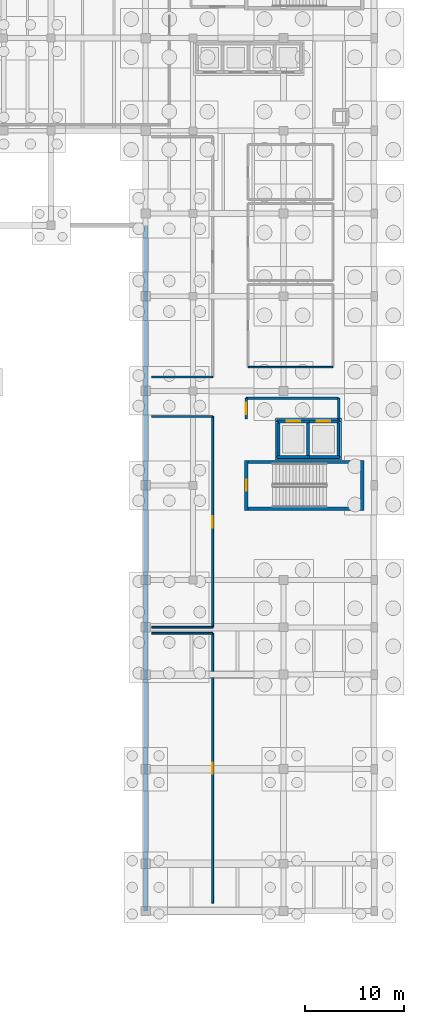
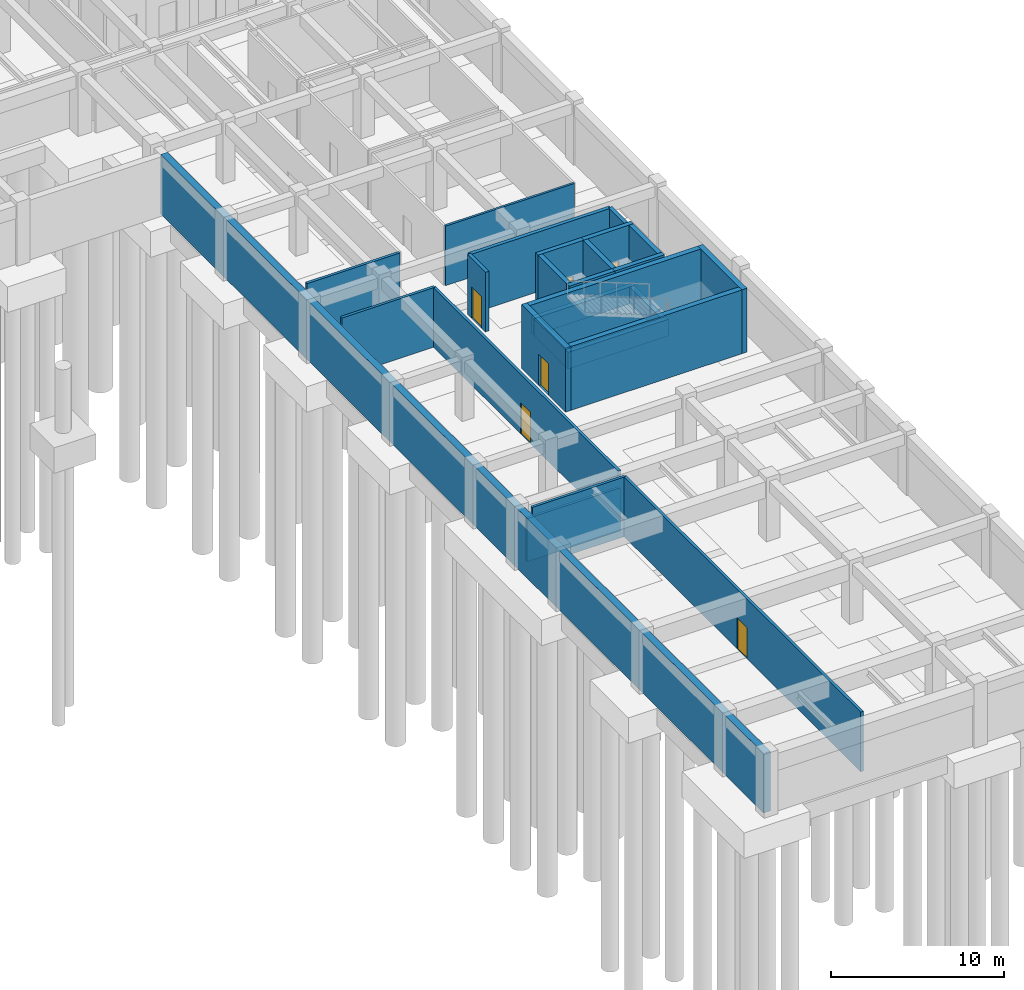
# One storey, part 19 of 33: 26 walls, 6 doors, 6 openings.
"""IFC4 building model written with IfcOpenShell, lengths in metres."""

from ifc_helpers import new_model, si_unit, direction, frame, frame_2d, origin, place, context, subcontext, project, spatial, rectangle, extrude, material, layer, layer_set, type_object, element, fill, save


model = new_model("IFC4")

# Units and contexts
model_context = context("Model", 3, precision=1e-05, world=origin(), true_north=direction((0.0, 1.0)))
body_context = subcontext(model_context, "Body", "Model", "MODEL_VIEW")
ifc_project = project(units=[si_unit("LENGTHUNIT", "METRE"), si_unit("AREAUNIT", "SQUARE_METRE"), si_unit("VOLUMEUNIT", "CUBIC_METRE"), si_unit("PLANEANGLEUNIT", "RADIAN"), si_unit("MASSUNIT", "GRAM", prefix="KILO")], contexts=[model_context])

# Site, building, storey
site_placement = place(None, origin())
site = spatial("IfcSite", under=ifc_project, at=site_placement, CompositionType="ELEMENT")
building_placement = place(site_placement, origin())
building = spatial("IfcBuilding", under=site, at=building_placement, Name="Veldera Park Congress Hotel", CompositionType="ELEMENT")
storey_placement = place(building_placement, frame((0.0, 0.0, -4.5)))
storey = spatial("IfcBuildingStorey", under=building, at=storey_placement, Name="B1", CompositionType="ELEMENT", Elevation=-4.5)

# Wall, opening, door
ifc_material_1 = material(Name="Fire-Rated Gypsum Board on Cold-Formed Steel Studs", Category="steel")
ifc_layer_1 = layer(ifc_material_1, 0.179931640625)
ifc_layer_set_1 = layer_set([ifc_layer_1], Name="Fire-Rated Gypsum Board on Cold-Formed Steel Studs")
wall_type_1 = type_object("IfcWallType", Name="IW-CORR180", PredefinedType="PARTITIONING", material=ifc_layer_set_1)
wall_1_placement = place(storey_placement, frame((67.60009765625, -51.39990234375, 0.0), z_axis=(0.0, 0.0, 1.0), x_axis=(0.0, 1.0, 0.0)))
wall_1 = element("IfcWall", 1, at=wall_1_placement, inside=storey, type_object=wall_type_1, Name="B1 Partition Wall IW3-B1-00022", PredefinedType="PARTITIONING", context=body_context, shape_type="SweptSolid", body=[
    extrude(rectangle(XDim=27.39990234375, YDim=0.179931640625, at=frame_2d((13.699951171875, 0.0))), origin(), (0.0, 0.0, 1.0), 4.199951171875),
])
opening_1_placement = place(wall_1_placement, frame((13.125, 0.0, 0.0)))
opening_1 = element("IfcOpeningElement", 2, at=opening_1_placement, cuts=wall_1, Name="Opening ID-MEET115", PredefinedType="OPENING", context=body_context, shape_type="SweptSolid", body=[
    extrude(rectangle(XDim=1.14990234375, YDim=2.199951171875, at=frame_2d((0.574951171875, 1.10009765625))), frame((0.0, 0.10205078125, 0.0), z_axis=(0.0, -1.0, 0.0), x_axis=(1.0, 0.0, 0.0)), (0.0, 0.0, 1.0), 0.203857421875),
])
ifc_material_2 = material(Name="Solid Core White Oak Architectural Door", Category="wood")
door_type_1 = type_object("IfcDoorType", Name="ID-MEET115", OperationType="NOTDEFINED", PredefinedType="DOOR", material=ifc_material_2)
door_1_placement = place(opening_1_placement, origin())
door_1 = element("IfcDoor", 3, at=door_1_placement, inside=storey, type_object=door_type_1, Name="B1 Bulk Banquet Storage and Cold Commissary Door ID3-B1-0009 (DR3-ID3-B1-0009)", OperationType="SINGLE_SWING_RIGHT", OverallHeight=2.199951171875, OverallWidth=1.14990234375, PredefinedType="DOOR", context=body_context, shape_type="SweptSolid", body=[
    extrude(rectangle(XDim=1.14990234375, YDim=2.199951171875, at=frame_2d((0.574951171875, 1.10009765625))), frame((0.0, 0.02490234375, 0.0), z_axis=(0.0, -1.0, 0.0), x_axis=(1.0, 0.0, 0.0)), (0.0, 0.0, 1.0), 0.050048828125),
])
fill(opening_1, door_1)

# Walls
wall_2_placement = place(storey_placement, frame((67.60009765625, -24.0, 0.0), z_axis=(0.0, 0.0, 1.0), x_axis=(-1.0, 0.0, 0.0)))
element("IfcWall", 4, at=wall_2_placement, inside=storey, type_object=wall_type_1, Name="B1 Partition Wall IW3-B1-00023", PredefinedType="PARTITIONING", context=body_context, shape_type="SweptSolid", body=[
    extrude(rectangle(XDim=6.2001953125, YDim=0.179931640625, at=frame_2d((3.10009765625, 0.0))), origin(), (0.0, 0.0, 1.0), 4.199951171875),
])
wall_3_placement = place(storey_placement, frame((61.39990234375, -23.39990234375, 0.0), z_axis=(0.0, 0.0, 1.0), x_axis=(1.0, 0.0, 0.0)))
element("IfcWall", 5, at=wall_3_placement, inside=storey, type_object=wall_type_1, Name="B1 Partition Wall IW3-B1-00024", PredefinedType="PARTITIONING", context=body_context, shape_type="SweptSolid", body=[
    extrude(rectangle(XDim=6.2001953125, YDim=0.179931640625, at=frame_2d((3.10009765625, 0.0))), origin(), (0.0, 0.0, 1.0), 3.044921875),
])

# Wall, opening, door
wall_4_placement = place(storey_placement, frame((67.60009765625, -23.39990234375, 0.0), z_axis=(0.0, 0.0, 1.0), x_axis=(0.0, 1.0, 0.0)))
wall_4 = element("IfcWall", 6, at=wall_4_placement, inside=storey, type_object=wall_type_1, Name="B1 Partition Wall IW3-B1-00025", PredefinedType="PARTITIONING", context=body_context, shape_type="SweptSolid", body=[
    extrude(rectangle(XDim=21.39990234375, YDim=0.179931640625, at=frame_2d((10.699951171875, 0.0))), origin(), (0.0, 0.0, 1.0), 4.199951171875),
])
opening_2_placement = place(wall_4_placement, frame((10.125, 0.0, 0.0)))
opening_2 = element("IfcOpeningElement", 7, at=opening_2_placement, cuts=wall_4, Name="Opening ID-MEET115", PredefinedType="OPENING", context=body_context, shape_type="SweptSolid", body=[
    extrude(rectangle(XDim=1.14990234375, YDim=2.199951171875, at=frame_2d((0.574951171875, 1.10009765625))), frame((0.0, 0.10205078125, 0.0), z_axis=(0.0, -1.0, 0.0), x_axis=(1.0, 0.0, 0.0)), (0.0, 0.0, 1.0), 0.203857421875),
])
door_2_placement = place(opening_2_placement, origin())
door_2 = element("IfcDoor", 8, at=door_2_placement, inside=storey, type_object=door_type_1, Name="B1 Staff Locker Rooms and Changing Facilities Door ID3-B1-0010 (DR3-ID3-B1-0010)", OperationType="SINGLE_SWING_LEFT", OverallHeight=2.199951171875, OverallWidth=1.14990234375, PredefinedType="DOOR", context=body_context, shape_type="SweptSolid", body=[
    extrude(rectangle(XDim=1.14990234375, YDim=2.199951171875, at=frame_2d((0.574951171875, 1.10009765625))), frame((0.0, 0.02490234375, 0.0), z_axis=(0.0, -1.0, 0.0), x_axis=(1.0, 0.0, 0.0)), (0.0, 0.0, 1.0), 0.050048828125),
])
fill(opening_2, door_2)

# Walls
for number, where, z_axis, x_axis, name in (
    (9, (67.60009765625, -2.0, 0.0), (0.0, 0.0, 1.0), (-1.0, 0.0, 0.0), "B1 Partition Wall IW3-B1-00026"),
    (10, (61.39990234375, 2.0, 0.0), (0.0, 0.0, 1.0), (1.0, 0.0, 0.0), "B1 Partition Wall IW3-B1-00027"),
):
    element("IfcWall", number, at=place(storey_placement, frame(where, z_axis=z_axis, x_axis=x_axis)), inside=storey, type_object=wall_type_1, Name=name, PredefinedType="PARTITIONING", context=body_context, shape_type="SweptSolid", body=[
        extrude(rectangle(XDim=6.2001953125, YDim=0.179931640625, at=frame_2d((3.10009765625, 0.0))), origin(), (0.0, 0.0, 1.0), 4.199951171875),
    ])
ifc_material_3 = material(Name="Concrete f'c 40 MPa (5,800 psi)", Category="concrete")
ifc_layer_2 = layer(ifc_material_3, 0.239990234375)
ifc_layer_set_2 = layer_set([ifc_layer_2], Name="Concrete f'c 40 MPa (5,800 psi)")
wall_type_2 = type_object("IfcWallType", Name="IW-FIRE240", PredefinedType="STANDARD", material=ifc_layer_set_2)
wall_5_placement = place(storey_placement, frame((80.39990234375, -2.25, 0.0), z_axis=(0.0, 0.0, 1.0), x_axis=(0.0, 1.0, 0.0)))
element("IfcWall", 11, at=wall_5_placement, inside=storey, type_object=wall_type_2, Name="B1 Partition Wall IW3-B1-00003", PredefinedType="STANDARD", context=body_context, shape_type="SweptSolid", body=[
    extrude(rectangle(XDim=2.10009765625, YDim=0.239990234375, at=frame_2d((1.050048828125, 0.0))), origin(), (0.0, 0.0, 1.0), 4.199951171875),
])
wall_6_placement = place(storey_placement, frame((80.39990234375, -0.14990234375, 0.0), z_axis=(0.0, 0.0, 1.0), x_axis=(-1.0, 0.0, 0.0)))
element("IfcWall", 12, at=wall_6_placement, inside=storey, type_object=wall_type_2, Name="B1 Partition Wall IW3-B1-00004", PredefinedType="STANDARD", context=body_context, shape_type="SweptSolid", body=[
    extrude(rectangle(XDim=9.39990234375, YDim=0.239990234375, at=frame_2d((4.699951171875, 0.0))), origin(), (0.0, 0.0, 1.0), 4.199951171875),
])

# Wall, opening, door
wall_7_placement = place(storey_placement, frame((71.0, -0.14990234375, 0.0), z_axis=(0.0, 0.0, 1.0), x_axis=(0.0, -1.0, 0.0)))
wall_7 = element("IfcWall", 13, at=wall_7_placement, inside=storey, type_object=wall_type_2, Name="B1 Partition Wall IW3-B1-00005", PredefinedType="STANDARD", context=body_context, shape_type="SweptSolid", body=[
    extrude(rectangle(XDim=2.10009765625, YDim=0.239990234375, at=frame_2d((1.050048828125, 0.0))), origin(), (0.0, 0.0, 1.0), 4.199951171875),
])
opening_3_placement = place(wall_7_placement, frame((0.47509765625, 0.0, 0.0)))
opening_3 = element("IfcOpeningElement", 14, at=opening_3_placement, cuts=wall_7, Name="Opening ID-MEET115", PredefinedType="OPENING", context=body_context, shape_type="SweptSolid", body=[
    extrude(rectangle(XDim=1.14990234375, YDim=2.199951171875, at=frame_2d((0.574951171875, 1.10009765625))), frame((0.0, 0.132080078125, 0.0), z_axis=(0.0, -1.0, 0.0), x_axis=(1.0, 0.0, 0.0)), (0.0, 0.0, 1.0), 0.263916015625),
])
door_3_placement = place(opening_3_placement, origin())
door_3 = element("IfcDoor", 15, at=door_3_placement, inside=storey, type_object=door_type_1, Name="B1 Service Lift Lobby Door ID3-B1-0003 (DR3-ID3-B1-0003)", OperationType="SINGLE_SWING_LEFT", OverallHeight=2.199951171875, OverallWidth=1.14990234375, PredefinedType="DOOR", context=body_context, shape_type="SweptSolid", body=[
    extrude(rectangle(XDim=1.14990234375, YDim=2.199951171875, at=frame_2d((0.574951171875, 1.10009765625))), frame((0.0, 0.02490234375, 0.0), z_axis=(0.0, -1.0, 0.0), x_axis=(1.0, 0.0, 0.0)), (0.0, 0.0, 1.0), 0.050048828125),
])
fill(opening_3, door_3)

# Walls
ifc_layer_3 = layer(ifc_material_1, 0.14990234375)
ifc_layer_set_3 = layer_set([ifc_layer_3], Name="Fire-Rated Gypsum Board on Cold-Formed Steel Studs")
wall_type_3 = type_object("IfcWallType", Name="IW-PLMB150", PredefinedType="PLUMBINGWALL", material=ifc_layer_set_3)
wall_8_placement = place(storey_placement, frame((71.199951171875, 3.0, 0.0), z_axis=(0.0, 0.0, 1.0), x_axis=(1.0, 0.0, 0.0)))
element("IfcWall", 16, at=wall_8_placement, inside=storey, type_object=wall_type_3, Name="B1 Partition Wall IW3-B1-00030", PredefinedType="PLUMBINGWALL", context=body_context, shape_type="SweptSolid", body=[
    extrude(rectangle(XDim=8.60009765625, YDim=0.14990234375, at=frame_2d((4.300048828125, 0.0))), origin(), (0.0, 0.0, 1.0), 4.199951171875),
])
ifc_layer_4 = layer(ifc_material_3, 0.35009765625)
ifc_layer_set_4 = layer_set([ifc_layer_4], Name="Concrete f'c 40 MPa (5,800 psi)")
wall_type_4 = type_object("IfcWallType", Name="SW-CORE350", PredefinedType="SHEAR", material=ifc_layer_set_4)
wall_9_placement = place(storey_placement, frame((70.85009765625, -11.375, 0.0), z_axis=(0.0, 0.0, 1.0), x_axis=(1.0, 0.0, 0.0)))
element("IfcWall", 17, at=wall_9_placement, inside=storey, type_object=wall_type_4, Name="Stair ST2 Core Wall B1-S", PredefinedType="SHEAR", context=body_context, shape_type="SweptSolid", body=[
    extrude(rectangle(XDim=12.099853515625, YDim=0.35009765625, at=frame_2d((6.0498046875, 0.0))), origin(), (0.0, 0.0, 1.0), 4.5),
])
wall_10_placement = place(storey_placement, frame((82.77490234375, -11.550048828125, 0.0), z_axis=(0.0, 0.0, 1.0), x_axis=(0.0, 1.0, 0.0)))
element("IfcWall", 18, at=wall_10_placement, inside=storey, type_object=wall_type_4, Name="Stair ST2 Core Wall B1-E", PredefinedType="SHEAR", context=body_context, shape_type="SweptSolid", body=[
    extrude(rectangle(XDim=5.10009765625, YDim=0.35009765625, at=frame_2d((2.550048828125, 0.0))), origin(), (0.0, 0.0, 1.0), 4.5),
])
wall_11_placement = place(storey_placement, frame((82.949951171875, -6.625, 0.0), z_axis=(0.0, 0.0, 1.0), x_axis=(-1.0, 0.0, 0.0)))
element("IfcWall", 19, at=wall_11_placement, inside=storey, type_object=wall_type_4, Name="Stair ST2 Core Wall B1-N", PredefinedType="SHEAR", context=body_context, shape_type="SweptSolid", body=[
    extrude(rectangle(XDim=12.099853515625, YDim=0.35009765625, at=frame_2d((6.0498046875, 0.0))), origin(), (0.0, 0.0, 1.0), 4.5),
])

# Wall, opening, door
wall_12_placement = place(storey_placement, frame((71.02490234375, -6.449951171875, 0.0), z_axis=(0.0, 0.0, 1.0), x_axis=(0.0, -1.0, 0.0)))
wall_12 = element("IfcWall", 20, at=wall_12_placement, inside=storey, type_object=wall_type_4, Name="Stair ST2 Core Wall B1-W", PredefinedType="SHEAR", context=body_context, shape_type="SweptSolid", body=[
    extrude(rectangle(XDim=5.10009765625, YDim=0.35009765625, at=frame_2d((2.550048828125, 0.0))), origin(), (0.0, 0.0, 1.0), 4.5),
])
opening_4_placement = place(wall_12_placement, frame((2.0, 0.0, 0.0)))
opening_4 = element("IfcOpeningElement", 21, at=opening_4_placement, cuts=wall_12, Name="Opening ID-STAIR110", PredefinedType="OPENING", context=body_context, shape_type="SweptSolid", body=[
    extrude(rectangle(XDim=1.10009765625, YDim=2.199951171875, at=frame_2d((0.550048828125, 1.10009765625))), frame((0.0, 0.18701171875, 0.0), z_axis=(0.0, -1.0, 0.0), x_axis=(1.0, 0.0, 0.0)), (0.0, 0.0, 1.0), 0.3740234375),
])
ifc_material_4 = material(Name="Hollow Metal Fire-Rated Steel Door", Category="steel")
door_type_2 = type_object("IfcDoorType", Name="ID-STAIR110", OperationType="NOTDEFINED", PredefinedType="DOOR", material=ifc_material_4)
door_4_placement = place(opening_4_placement, origin())
door_4 = element("IfcDoor", 22, at=door_4_placement, inside=storey, type_object=door_type_2, Name="B1 Stair ST2 Fire Door (DR3-SD-ST2-B1)", OperationType="SINGLE_SWING_RIGHT", OverallHeight=2.199951171875, OverallWidth=1.10009765625, PredefinedType="DOOR", context=body_context, shape_type="SweptSolid", body=[
    extrude(rectangle(XDim=1.10009765625, YDim=2.199951171875, at=frame_2d((0.550048828125, 1.10009765625))), frame((0.0, 0.02490234375, 0.0), z_axis=(0.0, -1.0, 0.0), x_axis=(1.0, 0.0, 0.0)), (0.0, 0.0, 1.0), 0.050048828125),
])
fill(opening_4, door_4)

# Walls
ifc_layer_5 = layer(ifc_material_3, 0.320068359375)
ifc_layer_set_5 = layer_set([ifc_layer_5], Name="Concrete f'c 40 MPa (5,800 psi)")
wall_type_5 = type_object("IfcWallType", Name="SW-PIT320", PredefinedType="SHEAR", material=ifc_layer_set_5)
for number, where, z_axis, x_axis, name in (
    (23, (73.97998046875, -6.260009765625, -1.179931640625), (0.0, 0.0, 1.0), (1.0, 0.0, 0.0), "Elevator Pit Wall PIT-SL-S"),
    (24, (80.669921875, -2.340087890625, -1.179931640625), (0.0, 0.0, 1.0), (-1.0, 0.0, 0.0), "Elevator Pit Wall PIT-SL-N"),
):
    element("IfcWall", number, at=place(storey_placement, frame(where, z_axis=z_axis, x_axis=x_axis)), inside=storey, type_object=wall_type_5, Name=name, PredefinedType="SHEAR", context=body_context, shape_type="SweptSolid", body=[
        extrude(rectangle(XDim=6.68994140625, YDim=0.320068359375, at=frame_2d((3.344970703125, 0.0))), origin(), (0.0, 0.0, 1.0), 1.179931640625),
    ])
for number, where, z_axis, x_axis, name in (
    (25, (80.510009765625, -6.10009765625, -1.179931640625), (0.0, 0.0, 1.0), (0.0, 1.0, 0.0), "Elevator Pit Wall PIT-SL-E"),
    (26, (74.139892578125, -2.5, -1.179931640625), (0.0, 0.0, 1.0), (0.0, -1.0, 0.0), "Elevator Pit Wall PIT-SL-W"),
):
    element("IfcWall", number, at=place(storey_placement, frame(where, z_axis=z_axis, x_axis=x_axis)), inside=storey, type_object=wall_type_5, Name=name, PredefinedType="SHEAR", context=body_context, shape_type="SweptSolid", body=[
        extrude(rectangle(XDim=3.60009765625, YDim=0.320068359375, at=frame_2d((1.800048828125, 0.0))), origin(), (0.0, 0.0, 1.0), 1.179931640625),
    ])
ifc_layer_6 = layer(ifc_material_3, 0.449951171875)
ifc_layer_set_6 = layer_set([ifc_layer_6], Name="Concrete f'c 40 MPa (5,800 psi)")
wall_type_6 = type_object("IfcWallType", Name="SW-RET450", PredefinedType="USERDEFINED", material=ifc_layer_set_6)
wall_13_placement = place(storey_placement, frame((60.800048828125, 17.39990234375, 0.0), z_axis=(0.0, 0.0, 1.0), x_axis=(0.0, -1.0, 0.0)))
element("IfcWall", 27, at=wall_13_placement, inside=storey, type_object=wall_type_6, Name="Basement Retaining Wall 6", ObjectType="RETAININGWALL", PredefinedType="USERDEFINED", context=body_context, shape_type="SweptSolid", body=[
    extrude(rectangle(XDim=69.599853515625, YDim=0.449951171875, at=frame_2d((34.7998046875, 0.0))), origin(), (0.0, 0.0, 1.0), 4.199951171875),
])
ifc_layer_7 = layer(ifc_material_3, 0.300048828125)
ifc_layer_set_7 = layer_set([ifc_layer_7], Name="Concrete f'c 40 MPa (5,800 psi)")
wall_type_7 = type_object("IfcWallType", Name="SW-SHFT300", PredefinedType="SHEAR", material=ifc_layer_set_7)
wall_14_placement = place(storey_placement, frame((74.14990234375, -6.10009765625, 0.0), z_axis=(0.0, 0.0, 1.0), x_axis=(1.0, 0.0, 0.0)))
element("IfcWall", 28, at=wall_14_placement, inside=storey, type_object=wall_type_7, Name="Lift SL-01 Shaft Wall B1-S", PredefinedType="SHEAR", context=body_context, shape_type="SweptSolid", body=[
    extrude(rectangle(XDim=3.300048828125, YDim=0.300048828125, at=frame_2d((1.64990234375, 0.0))), origin(), (0.0, 0.0, 1.0), 4.5),
])

# Wall, opening, door
wall_15_placement = place(storey_placement, frame((77.449951171875, -2.5, 0.0), z_axis=(0.0, 0.0, 1.0), x_axis=(-1.0, 0.0, 0.0)))
wall_15 = element("IfcWall", 29, at=wall_15_placement, inside=storey, type_object=wall_type_7, Name="Lift SL-01 Shaft Wall B1-N", PredefinedType="SHEAR", context=body_context, shape_type="SweptSolid", body=[
    extrude(rectangle(XDim=3.300048828125, YDim=0.300048828125, at=frame_2d((1.64990234375, 0.0))), origin(), (0.0, 0.0, 1.0), 4.5),
])
opening_5_placement = place(wall_15_placement, frame((0.949951171875, 0.0, 0.0)))
opening_5 = element("IfcOpeningElement", 30, at=opening_5_placement, cuts=wall_15, Name="Opening LD-140", PredefinedType="OPENING", context=body_context, shape_type="SweptSolid", body=[
    extrude(rectangle(XDim=1.39990234375, YDim=2.199951171875, at=frame_2d((0.699951171875, 1.10009765625))), frame((0.0, 0.162109375, 0.0), z_axis=(0.0, -1.0, 0.0), x_axis=(1.0, 0.0, 0.0)), (0.0, 0.0, 1.0), 0.323974609375),
])
door_type_3 = type_object("IfcDoorType", Name="LD-140", OperationType="DOUBLE_DOOR_SLIDING", PredefinedType="DOOR", material=ifc_material_4)
door_5_placement = place(opening_5_placement, origin())
door_5 = element("IfcDoor", 31, at=door_5_placement, inside=storey, type_object=door_type_3, Name="B1 Lift SL-01 Landing Door (DR3-LD-SL-01-B1)", OperationType="DOUBLE_DOOR_SLIDING", OverallHeight=2.199951171875, OverallWidth=1.39990234375, PredefinedType="DOOR", context=body_context, shape_type="SweptSolid", body=[
    extrude(rectangle(XDim=1.39990234375, YDim=2.199951171875, at=frame_2d((0.699951171875, 1.10009765625))), frame((0.0, 0.02490234375, 0.0), z_axis=(0.0, -1.0, 0.0), x_axis=(1.0, 0.0, 0.0)), (0.0, 0.0, 1.0), 0.050048828125),
])
fill(opening_5, door_5)

# Walls
for number, where, z_axis, x_axis, name in (
    (32, (77.300048828125, -5.949951171875, 0.0), (0.0, 0.0, 1.0), (0.0, 1.0, 0.0), "Lift SL-01 Shaft Wall B1-E"),
    (33, (74.300048828125, -2.64990234375, 0.0), (0.0, 0.0, 1.0), (0.0, -1.0, 0.0), "Lift SL-01 Shaft Wall B1-W"),
    (34, (77.199951171875, -6.10009765625, 0.0), (0.0, 0.0, 1.0), (1.0, 0.0, 0.0), "Lift SL-02 Shaft Wall B1-S"),
):
    element("IfcWall", number, at=place(storey_placement, frame(where, z_axis=z_axis, x_axis=x_axis)), inside=storey, type_object=wall_type_7, Name=name, PredefinedType="SHEAR", context=body_context, shape_type="SweptSolid", body=[
        extrude(rectangle(XDim=3.300048828125, YDim=0.300048828125, at=frame_2d((1.64990234375, 0.0))), origin(), (0.0, 0.0, 1.0), 4.5),
    ])

# Wall, opening, door
wall_16_placement = place(storey_placement, frame((80.5, -2.5, 0.0), z_axis=(0.0, 0.0, 1.0), x_axis=(-1.0, 0.0, 0.0)))
wall_16 = element("IfcWall", 35, at=wall_16_placement, inside=storey, type_object=wall_type_7, Name="Lift SL-02 Shaft Wall B1-N", PredefinedType="SHEAR", context=body_context, shape_type="SweptSolid", body=[
    extrude(rectangle(XDim=3.300048828125, YDim=0.300048828125, at=frame_2d((1.64990234375, 0.0))), origin(), (0.0, 0.0, 1.0), 4.5),
])
opening_6_placement = place(wall_16_placement, frame((0.949951171875, 0.0, 0.0)))
opening_6 = element("IfcOpeningElement", 36, at=opening_6_placement, cuts=wall_16, Name="Opening LD-140", PredefinedType="OPENING", context=body_context, shape_type="SweptSolid", body=[
    extrude(rectangle(XDim=1.39990234375, YDim=2.199951171875, at=frame_2d((0.699951171875, 1.10009765625))), frame((0.0, 0.162109375, 0.0), z_axis=(0.0, -1.0, 0.0), x_axis=(1.0, 0.0, 0.0)), (0.0, 0.0, 1.0), 0.323974609375),
])
door_6_placement = place(opening_6_placement, origin())
door_6 = element("IfcDoor", 37, at=door_6_placement, inside=storey, type_object=door_type_3, Name="B1 Lift SL-02 Landing Door (DR3-LD-SL-02-B1)", OperationType="DOUBLE_DOOR_SLIDING", OverallHeight=2.199951171875, OverallWidth=1.39990234375, PredefinedType="DOOR", context=body_context, shape_type="SweptSolid", body=[
    extrude(rectangle(XDim=1.39990234375, YDim=2.199951171875, at=frame_2d((0.699951171875, 1.10009765625))), frame((0.0, 0.02490234375, 0.0), z_axis=(0.0, -1.0, 0.0), x_axis=(1.0, 0.0, 0.0)), (0.0, 0.0, 1.0), 0.050048828125),
])
fill(opening_6, door_6)

# Wall
wall_17_placement = place(storey_placement, frame((80.35009765625, -5.949951171875, 0.0), z_axis=(0.0, 0.0, 1.0), x_axis=(0.0, 1.0, 0.0)))
element("IfcWall", 38, at=wall_17_placement, inside=storey, type_object=wall_type_7, Name="Lift SL-02 Shaft Wall B1-E", PredefinedType="SHEAR", context=body_context, shape_type="SweptSolid", body=[
    extrude(rectangle(XDim=3.300048828125, YDim=0.300048828125, at=frame_2d((1.64990234375, 0.0))), origin(), (0.0, 0.0, 1.0), 4.5),
])

save(model, "model.ifc")
